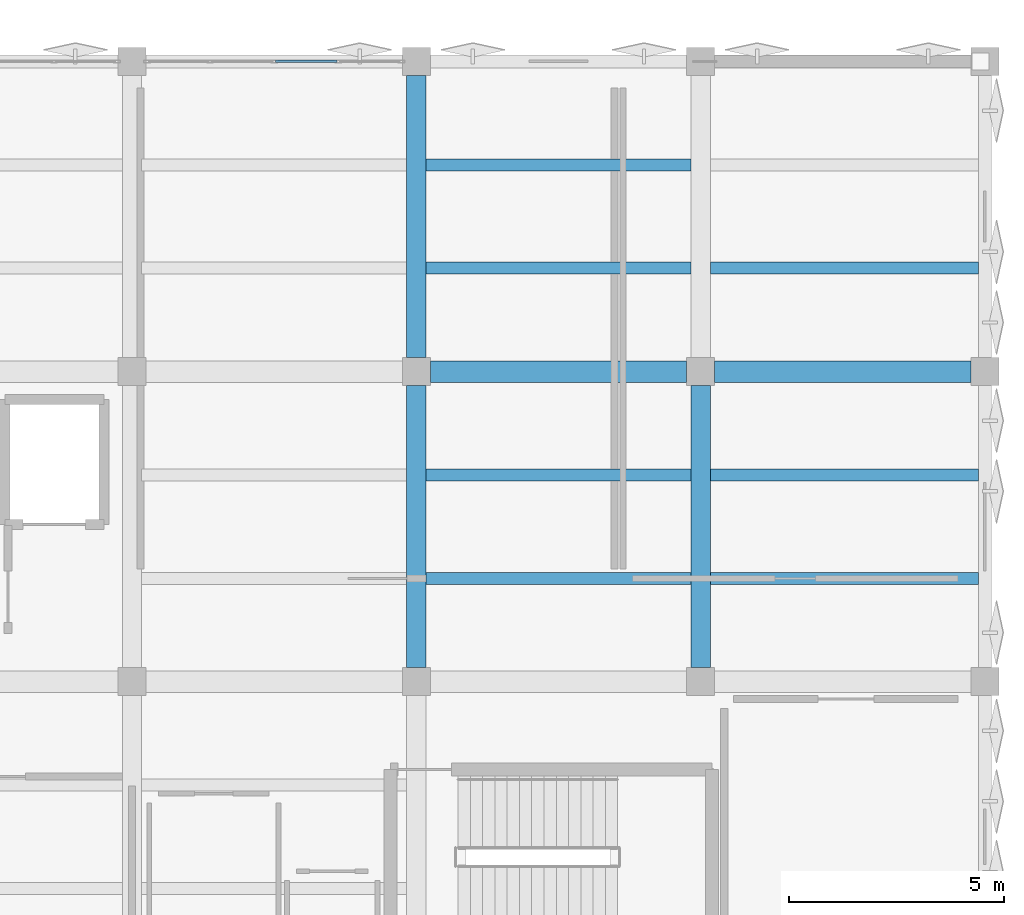
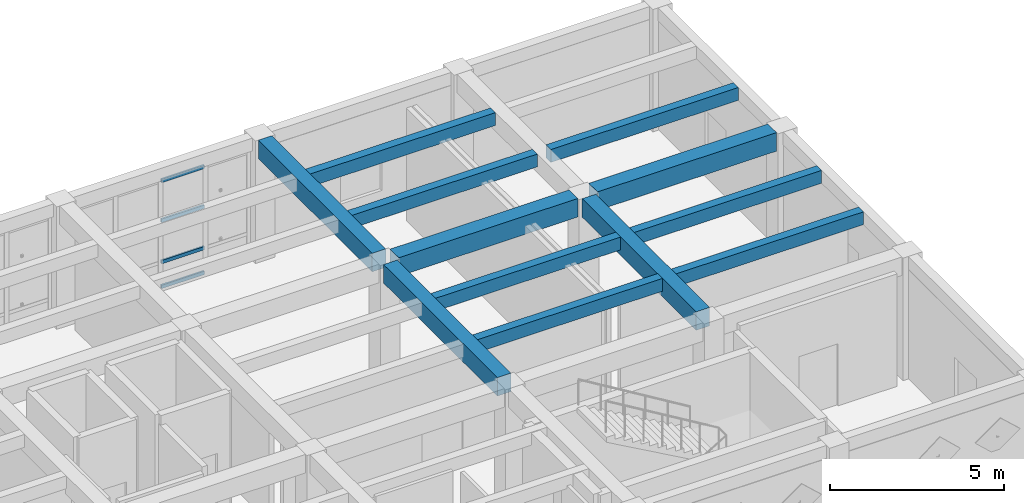
# One storey, part 39 of 67: 12 beams, 4 members, 1 element without a shape of its own.
"""IFC4 building model written with IfcOpenShell, lengths in metres."""

import ifcopenshell
import ifcopenshell.guid

model = None  # the IFC model being written
_history = None  # IfcOwnerHistory: only IFC2X3 demands one
_inside = {}  # id of a spatial element -> (the spatial element, [elements in it])
_under = {}  # id of a project, library or spatial element -> (it, [spatial elements below it])
_declared = {}  # id of a project -> (the project, [libraries it declares])
_typed = {}  # id of a type object -> (the type object, [elements of that type])
_made_of = {}  # id of a material, layer set ... -> (it, [elements and type objects made of it])


def new_model(schema):
    """Start an empty IFC model of exactly this schema.

    Asked for "IFC4X3", IfcOpenShell would pick the latest addendum, in which some entities
    have other attributes; the version numbers below select the first issue.
    IFC2X3 requires an IfcOwnerHistory on every rooted entity: one is made here for all.
    """
    global model, _history
    if schema == "IFC4X3":
        model = ifcopenshell.file(schema_version=(4, 3, 0, 0))
    else:
        model = ifcopenshell.file(schema=schema)
    _inside.clear()
    _under.clear()
    _declared.clear()
    _typed.clear()
    _made_of.clear()
    _history = None
    if model.schema == "IFC2X3":
        org = make("IfcOrganization", Name="unknown")
        user = make(
            "IfcPersonAndOrganization",
            ThePerson=make("IfcPerson", FamilyName="unknown"),
            TheOrganization=org,
        )
        app = make(
            "IfcApplication",
            ApplicationDeveloper=org,
            Version="unknown",
            ApplicationFullName="unknown",
            ApplicationIdentifier="unknown",
        )
        _history = make(
            "IfcOwnerHistory",
            OwningUser=user,
            OwningApplication=app,
            ChangeAction="ADDED",
            CreationDate=0,
        )
    return model


def make(cls, **values):
    """One entity of the class cls with the attributes given. An attribute that is None is left unset."""
    return model.create_entity(
        cls, **{name: value for name, value in values.items() if value is not None}
    )


def rooted(cls, **values):
    """An entity with a GlobalId (a new one), such as an element, a storey or a relation."""
    return make(cls, GlobalId=ifcopenshell.guid.new(), OwnerHistory=_history, **values)


def si_unit(unit_type, name, prefix=None):
    """IfcSIUnit, for example si_unit("LENGTHUNIT", "METRE", prefix="MILLI")."""
    return make("IfcSIUnit", UnitType=unit_type, Prefix=prefix, Name=name)


def assignment(units):
    """IfcUnitAssignment: the units of a project."""
    return None if units is None else make("IfcUnitAssignment", Units=units)


def point(xyz):
    """IfcCartesianPoint."""
    return None if xyz is None else make("IfcCartesianPoint", Coordinates=xyz)


def direction(xyz):
    """IfcDirection."""
    return None if xyz is None else make("IfcDirection", DirectionRatios=xyz)


def frame(location, z_axis=None, x_axis=None):
    """IfcAxis2Placement3D, a coordinate frame: its origin and axes. An axis left out is left unset."""
    return make(
        "IfcAxis2Placement3D",
        Location=point(location),
        Axis=direction(z_axis),
        RefDirection=direction(x_axis),
    )


def frame_2d(location, x_axis=None):
    """IfcAxis2Placement2D, a coordinate frame in the plane: its origin and x axis."""
    return make(
        "IfcAxis2Placement2D", Location=point(location), RefDirection=direction(x_axis)
    )


def origin():
    """The frame at (0, 0, 0) with its axes left unset."""
    return frame((0.0, 0.0, 0.0))


def origin_2d():
    """The frame at (0, 0) in the plane with its x axis left unset."""
    return frame_2d((0.0, 0.0))


def place(relative_to, where):
    """IfcLocalPlacement: puts the frame where relative to a parent placement (None: the world)."""
    return make(
        "IfcLocalPlacement", PlacementRelTo=relative_to, RelativePlacement=where
    )


def context(
    kind, dimensions, precision=None, world=None, true_north=None, identifier=None
):
    """IfcGeometricRepresentationContext, for example the 3D "Model" context."""
    return make(
        "IfcGeometricRepresentationContext",
        ContextIdentifier=identifier,
        ContextType=kind,
        CoordinateSpaceDimension=dimensions,
        Precision=precision,
        WorldCoordinateSystem=world,
        TrueNorth=true_north,
    )


def subcontext(parent, identifier, kind, view, scale=None):
    """IfcGeometricRepresentationSubContext, for example "Body" below "Model"."""
    return make(
        "IfcGeometricRepresentationSubContext",
        ContextIdentifier=identifier,
        ContextType=kind,
        ParentContext=parent,
        TargetScale=scale,
        TargetView=view,
    )


def project(units=None, contexts=None):
    """IfcProject with its units and contexts."""
    return rooted(
        "IfcProject",
        Name="project",
        RepresentationContexts=contexts,
        UnitsInContext=assignment(units),
    )


def spatial(cls, under=None, at=None, **own):
    """A site, building, storey or space (cls), placed at a placement, below another one or the project."""
    s = rooted(cls, ObjectPlacement=at, **own)
    if under is not None:
        _under.setdefault(under.id(), (under, []))[1].append(s)
    return s


def profile(cls, at=None, kind="AREA", **sizes):
    """A parametric profile (cls). Its sizes go by their IFC names, for example OverallWidth=200.0."""
    return make(cls, ProfileType=kind, Position=at, **sizes)


def rectangle(**sizes):
    """IfcRectangleProfileDef."""
    return profile("IfcRectangleProfileDef", **sizes)


def hollow_rectangle(**sizes):
    """IfcRectangleHollowProfileDef."""
    return profile("IfcRectangleHollowProfileDef", **sizes)


def extrude(swept, where, along, depth):
    """IfcExtrudedAreaSolid: the profile swept, set in the frame where, extruded along a direction by depth."""
    return make(
        "IfcExtrudedAreaSolid",
        SweptArea=swept,
        Position=where,
        ExtrudedDirection=direction(along),
        Depth=depth,
    )


def shape(context_of_items, identifier, shape_type, items):
    """IfcShapeRepresentation: the items that make up one representation, for example the "Body"."""
    return make(
        "IfcShapeRepresentation",
        ContextOfItems=context_of_items,
        RepresentationIdentifier=identifier,
        RepresentationType=shape_type,
        Items=items,
    )


def material(Name=None, Category=None):
    """IfcMaterial."""
    return make("IfcMaterial", Name=Name, Category=Category)


def layer(
    of_material, thickness, ventilated=None, Name=None, Category=None, Priority=None
):
    """IfcMaterialLayer: one layer of a wall or slab, of a material (None: an air gap)."""
    return make(
        "IfcMaterialLayer",
        Material=of_material,
        LayerThickness=thickness,
        IsVentilated=ventilated,
        Name=Name,
        Category=Category,
        Priority=Priority,
    )


def layer_set(layers, Name=None):
    """IfcMaterialLayerSet."""
    return make("IfcMaterialLayerSet", MaterialLayers=layers, LayerSetName=Name)


def material_profile(
    of_material, cross_section, Name=None, Category=None, Priority=None
):
    """IfcMaterialProfile: a cross section and its material."""
    return make(
        "IfcMaterialProfile",
        Name=Name,
        Material=of_material,
        Profile=cross_section,
        Priority=Priority,
        Category=Category,
    )


def profile_set(profiles, Name=None, composite=None):
    """IfcMaterialProfileSet."""
    return make(
        "IfcMaterialProfileSet",
        Name=Name,
        MaterialProfiles=profiles,
        CompositeProfile=composite,
    )


def made_of(thing, what):
    """Note that an element or type object is made of a material, layer set ...; save() writes the relation."""
    if what is not None:
        _made_of.setdefault(what.id(), (what, []))[1].append(thing)
    return thing


def type_object(cls, material=None, **own):
    """A type object (cls), such as IfcWallType, which elements share."""
    return made_of(rooted(cls, **own), material)


def element(
    cls,
    number,
    at=None,
    inside=None,
    cuts=None,
    type_object=None,
    material=None,
    context=None,
    identifier="Body",
    shape_type=None,
    held_by="IfcProductDefinitionShape",
    body=None,
    shapes=None,
    **own,
):
    """One element of the class cls, such as IfcWall. Its Tag is "e" and its number.

    at: its placement. inside: the storey or other place that contains it. cuts: it is an
    opening in that element (IfcRelVoidsElement). A single representation is given by context,
    identifier, shape_type and body (its items); several are given by shapes. held_by: the class
    of the entity that holds the representations. save() writes the other relations.
    """
    e = rooted(cls, Tag="e%d" % number, ObjectPlacement=at, **own)
    if body is not None:
        shapes = [shape(context, identifier, shape_type, body)]
    if shapes is not None:
        e.Representation = make(held_by, Representations=shapes)
    if inside is not None:
        _inside.setdefault(inside.id(), (inside, []))[1].append(e)
    if cuts is not None:
        rooted(
            "IfcRelVoidsElement", RelatingBuildingElement=cuts, RelatedOpeningElement=e
        )
    if type_object is not None:
        _typed.setdefault(type_object.id(), (type_object, []))[1].append(e)
    return made_of(e, material)


def aggregate(whole, parts):
    """IfcRelAggregates: a whole, such as a stair, and the parts it consists of."""
    return rooted("IfcRelAggregates", RelatingObject=whole, RelatedObjects=parts)


def save(model, path):
    """Write the relations noted so far, then the file.

    IfcRelAggregates (storeys below a building ...), IfcRelContainedInSpatialStructure (elements
    in a storey), IfcRelDefinesByType, IfcRelAssociatesMaterial and IfcRelDeclares: one each for
    every whole, place, type object, material and project.
    """
    for whole, parts in _under.values():
        aggregate(whole, parts)
    for where, things in _inside.values():
        rooted(
            "IfcRelContainedInSpatialStructure",
            RelatedElements=things,
            RelatingStructure=where,
        )
    for kind, things in _typed.values():
        rooted("IfcRelDefinesByType", RelatedObjects=things, RelatingType=kind)
    for what, things in _made_of.values():
        rooted("IfcRelAssociatesMaterial", RelatedObjects=things, RelatingMaterial=what)
    for by, libraries in _declared.values():
        rooted("IfcRelDeclares", RelatingContext=by, RelatedDefinitions=libraries)
    model.write(path)


model = new_model("IFC4")

# Units and contexts
model_context = context("Model", 3, precision=1e-05, world=origin(), true_north=direction((0.0, 1.0)))
body_context = subcontext(model_context, "Body", "Model", "MODEL_VIEW")
ifc_project = project(units=[si_unit("LENGTHUNIT", "METRE"), si_unit("AREAUNIT", "SQUARE_METRE"), si_unit("VOLUMEUNIT", "CUBIC_METRE"), si_unit("PLANEANGLEUNIT", "RADIAN"), si_unit("MASSUNIT", "GRAM", prefix="KILO")], contexts=[model_context])

# Site, building, storey
site_placement = place(None, origin())
site = spatial("IfcSite", under=ifc_project, at=site_placement, CompositionType="ELEMENT")
building_placement = place(site_placement, origin())
building = spatial("IfcBuilding", under=site, at=building_placement, Name="Kharisveld Research Institute", CompositionType="ELEMENT")
storey_placement = place(building_placement, frame((0.0, 0.0, 9.60009765625)))
storey = spatial("IfcBuildingStorey", under=building, at=storey_placement, Name="L02", CompositionType="ELEMENT", Elevation=9.60009765625)

# Beams
ifc_material_1 = material(Name="Concrete C40/50", Category="concrete")
ifc_material_profile_1 = material_profile(ifc_material_1, rectangle(XDim=0.449951171875, YDim=0.64990234375, at=origin_2d()))
ifc_profile_set_1 = profile_set([ifc_material_profile_1], Name="Concrete C40/50")
beam_type_1 = type_object("IfcBeamType", Name="BM_RC_450x650", PredefinedType="BEAM", material=ifc_profile_set_1)
beam_1_placement = place(storey_placement, frame((147.60009765625, 46.72509765625, 3.974853515625), z_axis=(0.0, 1.0, 0.0), x_axis=(-1.0, 0.0, 0.0)))
element("IfcBeam", 1, at=beam_1_placement, inside=storey, type_object=beam_type_1, Name="BM:V2:L02:V5_1", PredefinedType="BEAM", context=body_context, shape_type="SweptSolid", body=[
    extrude(rectangle(XDim=0.449951171875, YDim=0.64990234375, at=origin_2d()), origin(), (0.0, 0.0, 1.0), 6.5498046875),
])
beam_2_placement = place(storey_placement, frame((147.60009765625, 53.925048828125, 3.974853515625), z_axis=(0.0, 1.0, 0.0), x_axis=(-1.0, 0.0, 0.0)))
element("IfcBeam", 2, at=beam_2_placement, inside=storey, type_object=beam_type_1, Name="BM:V2:L02:V5_2", PredefinedType="BEAM", context=body_context, shape_type="SweptSolid", body=[
    extrude(rectangle(XDim=0.449951171875, YDim=0.64990234375, at=origin_2d()), origin(), (0.0, 0.0, 1.0), 6.550048828125),
])
beam_3_placement = place(storey_placement, frame((154.199951171875, 46.72509765625, 3.974853515625), z_axis=(0.0, 1.0, 0.0), x_axis=(-1.0, 0.0, 0.0)))
element("IfcBeam", 3, at=beam_3_placement, inside=storey, type_object=beam_type_1, Name="BM:V2:L02:V6_1", PredefinedType="BEAM", context=body_context, shape_type="SweptSolid", body=[
    extrude(rectangle(XDim=0.449951171875, YDim=0.64990234375, at=origin_2d()), origin(), (0.0, 0.0, 1.0), 6.5498046875),
])
ifc_material_2 = material(Name="Concrete C40/50", Category="concrete")
ifc_material_profile_2 = material_profile(ifc_material_2, rectangle(XDim=0.5, YDim=0.64990234375, at=origin_2d()))
ifc_profile_set_2 = profile_set([ifc_material_profile_2], Name="Concrete C40/50")
beam_type_2 = type_object("IfcBeamType", Name="BM_RC_500x650", PredefinedType="BEAM", material=ifc_profile_set_2)
beam_4_placement = place(storey_placement, frame((147.925048828125, 53.60009765625, 3.974853515625), z_axis=(1.0, 0.0, 0.0), x_axis=(0.0, 1.0, 0.0)))
element("IfcBeam", 4, at=beam_4_placement, inside=storey, type_object=beam_type_2, Name="BM:V2:L02:U5_2", PredefinedType="BEAM", context=body_context, shape_type="SweptSolid", body=[
    extrude(rectangle(XDim=0.5, YDim=0.64990234375, at=origin_2d()), origin(), (0.0, 0.0, 1.0), 5.949951171875),
])
beam_5_placement = place(storey_placement, frame((154.52490234375, 53.60009765625, 3.974853515625), z_axis=(1.0, 0.0, 0.0), x_axis=(0.0, 1.0, 0.0)))
element("IfcBeam", 5, at=beam_5_placement, inside=storey, type_object=beam_type_2, Name="BM:V2:L02:U6_2", PredefinedType="BEAM", context=body_context, shape_type="SweptSolid", body=[
    extrude(rectangle(XDim=0.5, YDim=0.64990234375, at=origin_2d()), origin(), (0.0, 0.0, 1.0), 5.9501953125),
])

# Curtain wall, members
ifc_material_3 = material(Name="Thermally Broken Aluminium Curtain Wall", Category="aluminium")
ifc_layer = layer(ifc_material_3, 0.159912109375)
ifc_layer_set = layer_set([ifc_layer], Name="CW_SYS_03")
curtain_wall_type = type_object("IfcCurtainWallType", Name="CW_SYS_03", PredefinedType="NOTDEFINED", material=ifc_layer_set)
curtain_wall_placement = place(storey_placement, origin())
curtain_wall = element("IfcCurtainWall", 6, at=curtain_wall_placement, inside=storey, type_object=curtain_wall_type, Name="CW:V2:L02:N4", PredefinedType="NOTDEFINED")
ifc_material_4 = material(Name="Anodised Aluminium AW-6063-T6", Category="aluminium")
ifc_material_profile_3 = material_profile(ifc_material_4, hollow_rectangle(XDim=0.06005859375, YDim=0.1201171875, WallThickness=0.00390625, at=origin_2d()))
ifc_profile_set_3 = profile_set([ifc_material_profile_3], Name="Anodised Aluminium AW-6063-T6")
member_type = type_object("IfcMemberType", Name="CW_TRN_120", PredefinedType="USERDEFINED", material=ifc_profile_set_3)
member_1_placement = place(storey_placement, frame((144.33251953125, 60.800048828125, 0.02978515625), z_axis=(1.0, 0.0, 0.0), x_axis=(0.0, 1.0, 0.0)))
member_1 = element("IfcMember", 7, at=member_1_placement, type_object=member_type, Name="CW-03 transom 3.1", ObjectType="TRANSOM", PredefinedType="USERDEFINED", context=body_context, shape_type="SweptSolid", body=[
    extrude(hollow_rectangle(XDim=0.06005859375, YDim=0.1201171875, WallThickness=0.00390625, at=origin_2d()), origin(), (0.0, 0.0, 1.0), 1.425048828125),
])
member_2_placement = place(storey_placement, frame((144.33251953125, 60.800048828125, 0.89990234375), z_axis=(1.0, 0.0, 0.0), x_axis=(0.0, 1.0, 0.0)))
member_2 = element("IfcMember", 8, at=member_2_placement, type_object=member_type, Name="CW-03 transom 3.2", ObjectType="TRANSOM", PredefinedType="USERDEFINED", context=body_context, shape_type="SweptSolid", body=[
    extrude(hollow_rectangle(XDim=0.06005859375, YDim=0.1201171875, WallThickness=0.00390625, at=origin_2d()), origin(), (0.0, 0.0, 1.0), 1.425048828125),
])
member_3_placement = place(storey_placement, frame((144.33251953125, 60.800048828125, 2.349853515625), z_axis=(1.0, 0.0, 0.0), x_axis=(0.0, 1.0, 0.0)))
member_3 = element("IfcMember", 9, at=member_3_placement, type_object=member_type, Name="CW-03 transom 3.3", ObjectType="TRANSOM", PredefinedType="USERDEFINED", context=body_context, shape_type="SweptSolid", body=[
    extrude(hollow_rectangle(XDim=0.06005859375, YDim=0.1201171875, WallThickness=0.00390625, at=origin_2d()), origin(), (0.0, 0.0, 1.0), 1.425048828125),
])
member_4_placement = place(storey_placement, frame((144.33251953125, 60.800048828125, 3.75), z_axis=(1.0, 0.0, 0.0), x_axis=(0.0, 1.0, 0.0)))
member_4 = element("IfcMember", 10, at=member_4_placement, type_object=member_type, Name="CW-03 transom 3.4", ObjectType="TRANSOM", PredefinedType="USERDEFINED", context=body_context, shape_type="SweptSolid", body=[
    extrude(hollow_rectangle(XDim=0.06005859375, YDim=0.1201171875, WallThickness=0.00390625, at=origin_2d()), origin(), (0.0, 0.0, 1.0), 1.425048828125),
])
aggregate(curtain_wall, [member_1, member_2, member_3, member_4])

# Beams
ifc_material_5 = material(Name="Concrete C40/50", Category="concrete")
ifc_material_profile_4 = material_profile(ifc_material_5, rectangle(XDim=0.280029296875, YDim=0.449951171875, at=origin_2d()))
ifc_profile_set_4 = profile_set([ifc_material_profile_4], Name="Concrete C40/50")
beam_type_3 = type_object("IfcBeamType", Name="WB_RC_280x450", PredefinedType="JOIST", material=ifc_profile_set_4)
for number, where, z_axis, x_axis, name in (
    (11, (147.824951171875, 48.800048828125, 4.074951171875), (1.0, 0.0, 0.0), (0.0, 1.0, 0.0), "BM:V2:L02:J_5_1_R1"),
    (12, (147.824951171875, 51.199951171875, 4.074951171875), (1.0, 0.0, 0.0), (0.0, 1.0, 0.0), "BM:V2:L02:J_5_1_R2"),
    (13, (147.824951171875, 56.0, 4.074951171875), (1.0, 0.0, 0.0), (0.0, 1.0, 0.0), "BM:V2:L02:J_5_2_R1"),
    (14, (147.824951171875, 58.39990234375, 4.074951171875), (1.0, 0.0, 0.0), (0.0, 1.0, 0.0), "BM:V2:L02:J_5_2_R2"),
):
    element("IfcBeam", number, at=place(storey_placement, frame(where, z_axis=z_axis, x_axis=x_axis)), inside=storey, type_object=beam_type_3, Name=name, PredefinedType="JOIST", context=body_context, shape_type="SweptSolid", body=[
        extrude(rectangle(XDim=0.280029296875, YDim=0.449951171875, at=origin_2d()), origin(), (0.0, 0.0, 1.0), 6.150146484375),
    ])
for number, where, z_axis, x_axis, name in (
    (15, (154.425048828125, 48.800048828125, 4.074951171875), (1.0, 0.0, 0.0), (0.0, 1.0, 0.0), "BM:V2:L02:J_6_1_R1"),
    (16, (154.425048828125, 51.199951171875, 4.074951171875), (1.0, 0.0, 0.0), (0.0, 1.0, 0.0), "BM:V2:L02:J_6_1_R2"),
    (17, (154.425048828125, 56.0, 4.074951171875), (1.0, 0.0, 0.0), (0.0, 1.0, 0.0), "BM:V2:L02:J_6_2_R1"),
):
    element("IfcBeam", number, at=place(storey_placement, frame(where, z_axis=z_axis, x_axis=x_axis)), inside=storey, type_object=beam_type_3, Name=name, PredefinedType="JOIST", context=body_context, shape_type="SweptSolid", body=[
        extrude(rectangle(XDim=0.280029296875, YDim=0.449951171875, at=origin_2d()), origin(), (0.0, 0.0, 1.0), 6.224853515625),
    ])

save(model, "model.ifc")
